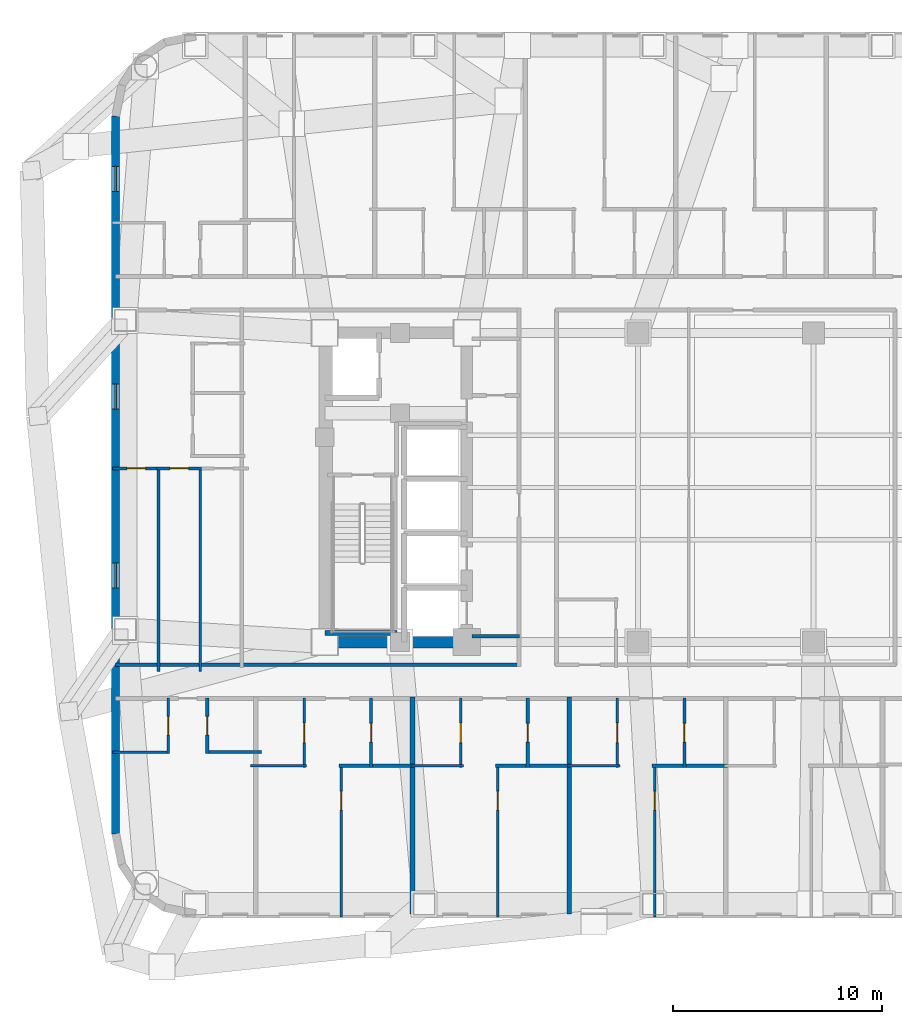
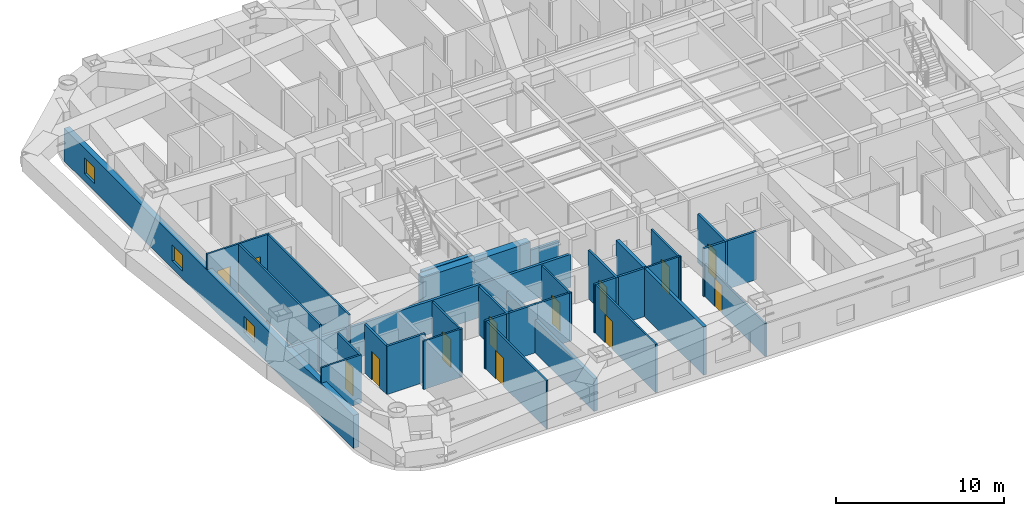
# One storey, part 4 of 14: 30 walls, 13 doors, 3 windows, 16 openings.
"""IFC4 building model written with IfcOpenShell, lengths in metres."""

from ifc_helpers import new_model, si_unit, direction, frame, frame_2d, origin, place, context, subcontext, project, spatial, rectangle, extrude, material, layer, layer_set, type_object, element, fill, save


model = new_model("IFC4")

# Units and contexts
model_context = context("Model", 3, precision=1e-05, world=origin(), true_north=direction((0.0, 1.0)))
body_context = subcontext(model_context, "Body", "Model", "MODEL_VIEW")
ifc_project = project(units=[si_unit("LENGTHUNIT", "METRE"), si_unit("AREAUNIT", "SQUARE_METRE"), si_unit("VOLUMEUNIT", "CUBIC_METRE"), si_unit("PLANEANGLEUNIT", "RADIAN"), si_unit("MASSUNIT", "GRAM", prefix="KILO")], contexts=[model_context])

# Site, building, storey
site_placement = place(None, origin())
site = spatial("IfcSite", under=ifc_project, at=site_placement, CompositionType="ELEMENT")
building_placement = place(site_placement, origin())
building = spatial("IfcBuilding", under=site, at=building_placement, Name="Voryun Gate Residences", CompositionType="ELEMENT")
storey_placement = place(building_placement, frame((0.0, 0.0, 136.5)))
storey = spatial("IfcBuildingStorey", under=building, at=storey_placement, Name="L33", CompositionType="ELEMENT", Elevation=136.5)

# Walls
ifc_material_1 = material(Name="Concrete C60/75", Category="concrete")
ifc_layer_1 = layer(ifc_material_1, 0.550048828125, Name="CW_CORE_550")
ifc_layer_set_1 = layer_set([ifc_layer_1], Name="Concrete C60/75")
wall_type_1 = type_object("IfcWallType", Name="CW_CORE_550", PredefinedType="SHEAR", material=ifc_layer_set_1)
wall_1_placement = place(storey_placement, frame((-19.47509765625, -7.39990234375, 0.0), z_axis=(0.0, 0.0, 1.0), x_axis=(1.0, 0.0, 0.0)))
element("IfcWall", 1, at=wall_1_placement, inside=storey, type_object=wall_type_1, Name="L33 Core shear wall CW-L33-WS", PredefinedType="SHEAR", context=body_context, shape_type="SweptSolid", body=[
    extrude(rectangle(XDim=7.35009765625, YDim=0.550048828125, at=frame_2d((3.675048828125, 0.0))), origin(), (0.0, 0.0, 1.0), 3.5),
])
ifc_material_2 = material(Name="Gypsum acoustic fireboard")
ifc_layer_2 = layer(ifc_material_2, 0.179931640625, Name="W_CORR_RATED_180")
ifc_layer_set_2 = layer_set([ifc_layer_2], Name="Gypsum acoustic fireboard")
wall_type_2 = type_object("IfcWallType", Name="W_CORR_RATED_180", PredefinedType="PARTITIONING", material=ifc_layer_set_2)
wall_2_placement = place(storey_placement, frame((-12.14990234375, -7.1201171875, 0.0), z_axis=(0.0, 0.0, 1.0), x_axis=(1.0, 0.0, 0.0)))
element("IfcWall", 2, at=wall_2_placement, inside=storey, type_object=wall_type_2, Name="Partition wall WP-L33-PLBS-W", PredefinedType="PARTITIONING", context=body_context, shape_type="SweptSolid", body=[
    extrude(rectangle(XDim=2.27001953125, YDim=0.179931640625, at=frame_2d((1.135009765625, 0.0))), origin(), (0.0, 0.0, 1.0), 2.5400390625),
])
wall_3_placement = place(storey_placement, frame((-29.2099609375, -8.489990234375, 0.0), z_axis=(0.0, 0.0, 1.0), x_axis=(1.0, 0.0, 0.0)))
element("IfcWall", 3, at=wall_3_placement, inside=storey, type_object=wall_type_2, Name="Partition wall WP-L33-CWING-WS", PredefinedType="PARTITIONING", context=body_context, shape_type="SweptSolid", body=[
    extrude(rectangle(XDim=19.330078125, YDim=0.179931640625, at=frame_2d((9.6650390625, 0.0))), origin(), (0.0, 0.0, 1.0), 2.389892578125),
])

# Wall, openings, windows
ifc_material_3 = material(Name="Granite masonry", Category="masonry")
ifc_layer_3 = layer(ifc_material_3, 0.3798828125, Name="W_EXT_GRANITE_380")
ifc_layer_set_3 = layer_set([ifc_layer_3], Name="Granite masonry")
wall_type_3 = type_object("IfcWallType", Name="W_EXT_GRANITE_380", PredefinedType="ELEMENTEDWALL", material=ifc_layer_set_3)
wall_4_placement = place(storey_placement, frame((-29.2099609375, -16.581298828125, 0.0), z_axis=(0.0, 0.0, 1.0), x_axis=(0.0, 1.0, 0.0)))
wall_4 = element("IfcWall", 4, at=wall_4_placement, inside=storey, type_object=wall_type_3, Name="Exterior wall WEXT-L33-06", PredefinedType="ELEMENTEDWALL", context=body_context, shape_type="SweptSolid", body=[
    extrude(rectangle(XDim=34.362548828125, YDim=0.3798828125, at=frame_2d((17.18115234375, 0.0))), origin(), (0.0, 0.0, 1.0), 2.389892578125),
])
opening_1_placement = place(wall_4_placement, frame((30.7568359375, 0.0, 0.550048828125)))
opening_1 = element("IfcOpeningElement", 5, at=opening_1_placement, cuts=wall_4, Name="Opening WN6", PredefinedType="OPENING", context=body_context, shape_type="SweptSolid", body=[
    extrude(rectangle(XDim=1.199951171875, YDim=1.14990234375, at=frame_2d((0.60009765625, 0.574951171875))), frame((0.0, 0.199951171875, 0.0), z_axis=(0.0, -1.0, 0.0), x_axis=(1.0, 0.0, 0.0)), (0.0, 0.0, 1.0), 0.39990234375),
])
opening_2_placement = place(wall_4_placement, frame((20.326416015625, 0.0, 0.550048828125)))
opening_2 = element("IfcOpeningElement", 6, at=opening_2_placement, cuts=wall_4, Name="Opening WN6", PredefinedType="OPENING", context=body_context, shape_type="SweptSolid", body=[
    extrude(rectangle(XDim=1.199951171875, YDim=1.14990234375, at=frame_2d((0.60009765625, 0.574951171875))), frame((0.0, 0.199951171875, 0.0), z_axis=(0.0, -1.0, 0.0), x_axis=(1.0, 0.0, 0.0)), (0.0, 0.0, 1.0), 0.39990234375),
])
opening_3_placement = place(wall_4_placement, frame((11.7763671875, 0.0, 0.550048828125)))
opening_3 = element("IfcOpeningElement", 7, at=opening_3_placement, cuts=wall_4, Name="Opening WN6", PredefinedType="OPENING", context=body_context, shape_type="SweptSolid", body=[
    extrude(rectangle(XDim=1.199951171875, YDim=1.14990234375, at=frame_2d((0.60009765625, 0.574951171875))), frame((0.0, 0.199951171875, 0.0), z_axis=(0.0, -1.0, 0.0), x_axis=(1.0, 0.0, 0.0)), (0.0, 0.0, 1.0), 0.39990234375),
])
ifc_material_4 = material(Name="Laminated low-E glass", Category="glass")
window_type = type_object("IfcWindowType", Name="WN_POD_SLOT_1200", PartitioningType="SINGLE_PANEL", PredefinedType="WINDOW", material=ifc_material_4)
window_1_placement = place(opening_1_placement, origin())
window_1 = element("IfcWindow", 8, at=window_1_placement, inside=storey, type_object=window_type, Name="Window WN-L33-DWFIX-01", OverallHeight=1.14990234375, OverallWidth=1.199951171875, PartitioningType="SINGLE_PANEL", PredefinedType="WINDOW", context=body_context, shape_type="SweptSolid", body=[
    extrude(rectangle(XDim=1.199951171875, YDim=1.14990234375, at=frame_2d((0.60009765625, 0.574951171875))), frame((0.0, 0.030029296875, 0.0), z_axis=(0.0, -1.0, 0.0), x_axis=(1.0, 0.0, 0.0)), (0.0, 0.0, 1.0), 0.06005859375),
])
fill(opening_1, window_1)
window_2_placement = place(opening_2_placement, origin())
window_2 = element("IfcWindow", 9, at=window_2_placement, inside=storey, type_object=window_type, Name="Window WN-L33-DWFIX-26", OverallHeight=1.14990234375, OverallWidth=1.199951171875, PartitioningType="SINGLE_PANEL", PredefinedType="WINDOW", context=body_context, shape_type="SweptSolid", body=[
    extrude(rectangle(XDim=1.199951171875, YDim=1.14990234375, at=frame_2d((0.60009765625, 0.574951171875))), frame((0.0, 0.030029296875, 0.0), z_axis=(0.0, -1.0, 0.0), x_axis=(1.0, 0.0, 0.0)), (0.0, 0.0, 1.0), 0.06005859375),
])
fill(opening_2, window_2)
window_3_placement = place(opening_3_placement, origin())
window_3 = element("IfcWindow", 10, at=window_3_placement, inside=storey, type_object=window_type, Name="Window WN-L33-DWFIX-27", OverallHeight=1.14990234375, OverallWidth=1.199951171875, PartitioningType="SINGLE_PANEL", PredefinedType="WINDOW", context=body_context, shape_type="SweptSolid", body=[
    extrude(rectangle(XDim=1.199951171875, YDim=1.14990234375, at=frame_2d((0.60009765625, 0.574951171875))), frame((0.0, 0.030029296875, 0.0), z_axis=(0.0, -1.0, 0.0), x_axis=(1.0, 0.0, 0.0)), (0.0, 0.0, 1.0), 0.06005859375),
])
fill(opening_3, window_3)

# Walls
ifc_material_5 = material(Name="Concrete C40/50", Category="concrete")
ifc_layer_4 = layer(ifc_material_5, 0.219970703125, Name="W_PARTY_ACOUSTIC_220")
ifc_layer_set_4 = layer_set([ifc_layer_4], Name="Concrete C40/50")
wall_type_4 = type_object("IfcWallType", Name="W_PARTY_ACOUSTIC_220", PredefinedType="PARTITIONING", material=ifc_layer_set_4)
wall_5_placement = place(storey_placement, frame((-15.0, -20.409912109375, 0.0), z_axis=(0.0, 0.0, 1.0), x_axis=(0.0, 1.0, 0.0)))
element("IfcWall", 11, at=wall_5_placement, inside=storey, type_object=wall_type_4, Name="Partition wall WP-L33-SPTY-2", PredefinedType="PARTITIONING", context=body_context, shape_type="SweptSolid", body=[
    extrude(rectangle(XDim=10.389892578125, YDim=0.219970703125, at=frame_2d((5.19482421875, 0.0))), origin(), (0.0, 0.0, 1.0), 2.389892578125),
])
wall_6_placement = place(storey_placement, frame((-7.5, -20.409912109375, 0.0), z_axis=(0.0, 0.0, 1.0), x_axis=(0.0, 1.0, 0.0)))
element("IfcWall", 12, at=wall_6_placement, inside=storey, type_object=wall_type_4, Name="Partition wall WP-L33-SPTY-3", PredefinedType="PARTITIONING", context=body_context, shape_type="SweptSolid", body=[
    extrude(rectangle(XDim=10.389892578125, YDim=0.219970703125, at=frame_2d((5.19482421875, 0.0))), origin(), (0.0, 0.0, 1.0), 3.5),
])
ifc_material_6 = material(Name="Concrete C50/60", Category="concrete")
ifc_layer_5 = layer(ifc_material_6, 0.25, Name="W_SHAFT_RC250")
ifc_layer_set_5 = layer_set([ifc_layer_5], Name="Concrete C50/60")
wall_type_5 = type_object("IfcWallType", Name="W_SHAFT_RC250", PredefinedType="SOLIDWALL", material=ifc_layer_set_5)
wall_7_placement = place(storey_placement, frame((-19.199951171875, -6.965087890625, 0.0), z_axis=(0.0, 0.0, 1.0), x_axis=(1.0, 0.0, 0.0)))
element("IfcWall", 13, at=wall_7_placement, inside=storey, type_object=wall_type_5, Name="L33 Stair shaft structural wall W-STS", PredefinedType="SOLIDWALL", context=body_context, shape_type="SweptSolid", body=[
    extrude(rectangle(XDim=3.4599609375, YDim=0.25, at=frame_2d((1.72998046875, 0.0))), origin(), (0.0, 0.0, 1.0), 3.5),
])

# Wall, opening, door
ifc_material_7 = material(Name="Gypsum acoustic partition")
ifc_layer_6 = layer(ifc_material_7, 0.125, Name="W_UNIT_PART_125")
ifc_layer_set_6 = layer_set([ifc_layer_6], Name="Gypsum acoustic partition")
wall_type_6 = type_object("IfcWallType", Name="W_UNIT_PART_125", PredefinedType="PARTITIONING", material=ifc_layer_set_6)
wall_8_placement = place(storey_placement, frame((-26.68798828125, -12.72998046875, 0.0), z_axis=(0.0, 0.0, 1.0), x_axis=(0.0, 1.0, 0.0)))
wall_8 = element("IfcWall", 14, at=wall_8_placement, inside=storey, type_object=wall_type_6, Name="Partition wall WP-L33-S1-CVK", PredefinedType="PARTITIONING", context=body_context, shape_type="SweptSolid", body=[
    extrude(rectangle(XDim=2.64990234375, YDim=0.125, at=frame_2d((1.324951171875, 0.0))), origin(), (0.0, 0.0, 1.0), 3.5),
])
opening_4_placement = place(wall_8_placement, frame((0.875, 0.0, 0.0)))
opening_4 = element("IfcOpeningElement", 15, at=opening_4_placement, cuts=wall_8, Name="Opening D-INT-2", PredefinedType="OPENING", context=body_context, shape_type="SweptSolid", body=[
    extrude(rectangle(XDim=0.89990234375, YDim=2.050048828125, at=frame_2d((0.449951171875, 1.02490234375))), frame((0.0, 0.072509765625, 0.0), z_axis=(0.0, -1.0, 0.0), x_axis=(1.0, 0.0, 0.0)), (0.0, 0.0, 1.0), 0.14501953125),
])
ifc_material_8 = material(Name="Architectural oak veneer")
door_type_1 = type_object("IfcDoorType", Name="DR_INT_BATH_900", OperationType="NOTDEFINED", PredefinedType="DOOR", material=ifc_material_8)
door_1_placement = place(opening_4_placement, origin())
door_1 = element("IfcDoor", 16, at=door_1_placement, inside=storey, type_object=door_type_1, Name="Door DR-L33-S1-DK", OperationType="SINGLE_SWING_LEFT", OverallHeight=2.050048828125, OverallWidth=0.89990234375, PredefinedType="DOOR", context=body_context, shape_type="SweptSolid", body=[
    extrude(rectangle(XDim=0.89990234375, YDim=2.050048828125, at=frame_2d((0.449951171875, 1.02490234375))), frame((0.0, 0.02490234375, 0.0), z_axis=(0.0, -1.0, 0.0), x_axis=(1.0, 0.0, 0.0)), (0.0, 0.0, 1.0), 0.050048828125),
])
fill(opening_4, door_1)

# Wall
wall_9_placement = place(storey_placement, frame((-29.360107421875, -12.669921875, 0.0), z_axis=(0.0, 0.0, 1.0), x_axis=(1.0, 0.0, 0.0)))
element("IfcWall", 17, at=wall_9_placement, inside=storey, type_object=wall_type_6, Name="Partition wall WP-L33-S1-CHK", PredefinedType="PARTITIONING", context=body_context, shape_type="SweptSolid", body=[
    extrude(rectangle(XDim=2.732177734375, YDim=0.125, at=frame_2d((1.3662109375, 0.0))), origin(), (0.0, 0.0, 1.0), 3.5),
])

# Wall, opening, door
wall_10_placement = place(storey_placement, frame((-18.409912109375, -20.56005859375, 0.0), z_axis=(0.0, 0.0, 1.0), x_axis=(0.0, 1.0, 0.0)))
wall_10 = element("IfcWall", 18, at=wall_10_placement, inside=storey, type_object=wall_type_6, Name="Partition wall WP-L33-S2-OVR", PredefinedType="PARTITIONING", context=body_context, shape_type="SweptSolid", body=[
    extrude(rectangle(XDim=7.320068359375, YDim=0.125, at=frame_2d((3.66015625, 0.0))), origin(), (0.0, 0.0, 1.0), 3.5),
])
opening_5_placement = place(wall_10_placement, frame((5.11328125, 0.0, 0.0)))
opening_5 = element("IfcOpeningElement", 19, at=opening_5_placement, cuts=wall_10, Name="Opening D-INT-2", PredefinedType="OPENING", context=body_context, shape_type="SweptSolid", body=[
    extrude(rectangle(XDim=0.89990234375, YDim=2.050048828125, at=frame_2d((0.449951171875, 1.02490234375))), frame((0.0, 0.072509765625, 0.0), z_axis=(0.0, -1.0, 0.0), x_axis=(1.0, 0.0, 0.0)), (0.0, 0.0, 1.0), 0.14501953125),
])
door_2_placement = place(opening_5_placement, origin())
door_2 = element("IfcDoor", 20, at=door_2_placement, inside=storey, type_object=door_type_1, Name="Door DR-L33-S2-DMB", OperationType="SINGLE_SWING_RIGHT", OverallHeight=2.050048828125, OverallWidth=0.89990234375, PredefinedType="DOOR", context=body_context, shape_type="SweptSolid", body=[
    extrude(rectangle(XDim=0.89990234375, YDim=2.050048828125, at=frame_2d((0.449951171875, 1.02490234375))), frame((0.0, 0.02490234375, 0.0), z_axis=(0.0, -1.0, 0.0), x_axis=(1.0, 0.0, 0.0)), (0.0, 0.0, 1.0), 0.050048828125),
])
fill(opening_5, door_2)

wall_11_placement = place(storey_placement, frame((-20.18994140625, -13.39990234375, 0.0), z_axis=(0.0, 0.0, 1.0), x_axis=(0.0, 1.0, 0.0)))
wall_11 = element("IfcWall", 21, at=wall_11_placement, inside=storey, type_object=wall_type_6, Name="Partition wall WP-L33-S2-IVK", PredefinedType="PARTITIONING", context=body_context, shape_type="SweptSolid", body=[
    extrude(rectangle(XDim=3.31982421875, YDim=0.125, at=frame_2d((1.659912109375, 0.0))), origin(), (0.0, 0.0, 1.0), 3.5),
])
opening_6_placement = place(wall_11_placement, frame((1.18505859375, 0.0, 0.0)))
opening_6 = element("IfcOpeningElement", 22, at=opening_6_placement, cuts=wall_11, Name="Opening D-INT-1", PredefinedType="OPENING", context=body_context, shape_type="SweptSolid", body=[
    extrude(rectangle(XDim=0.949951171875, YDim=2.050048828125, at=frame_2d((0.47509765625, 1.02490234375))), frame((0.0, 0.072509765625, 0.0), z_axis=(0.0, -1.0, 0.0), x_axis=(1.0, 0.0, 0.0)), (0.0, 0.0, 1.0), 0.14501953125),
])
ifc_material_9 = material(Name="Architectural oak veneer")
door_type_2 = type_object("IfcDoorType", Name="DR_INT_ROOM_950", OperationType="NOTDEFINED", PredefinedType="DOOR", material=ifc_material_9)
door_3_placement = place(opening_6_placement, origin())
door_3 = element("IfcDoor", 23, at=door_3_placement, inside=storey, type_object=door_type_2, Name="Door DR-L33-S2-DK", OperationType="SINGLE_SWING_LEFT", OverallHeight=2.050048828125, OverallWidth=0.949951171875, PredefinedType="DOOR", context=body_context, shape_type="SweptSolid", body=[
    extrude(rectangle(XDim=0.949951171875, YDim=2.050048828125, at=frame_2d((0.47509765625, 1.02490234375))), frame((0.0, 0.02490234375, 0.0), z_axis=(0.0, -1.0, 0.0), x_axis=(1.0, 0.0, 0.0)), (0.0, 0.0, 1.0), 0.050048828125),
])
fill(opening_6, door_3)

# Wall
wall_12_placement = place(storey_placement, frame((-22.760009765625, -13.320068359375, 0.0), z_axis=(0.0, 0.0, 1.0), x_axis=(1.0, 0.0, 0.0)))
element("IfcWall", 24, at=wall_12_placement, inside=storey, type_object=wall_type_6, Name="Partition wall WP-L33-S2-HZK", PredefinedType="PARTITIONING", context=body_context, shape_type="SweptSolid", body=[
    extrude(rectangle(XDim=2.68994140625, YDim=0.125, at=frame_2d((1.344970703125, 0.0))), origin(), (0.0, 0.0, 1.0), 3.5),
])

# Wall, opening, door
wall_13_placement = place(storey_placement, frame((-10.909912109375, -20.56005859375, 0.0), z_axis=(0.0, 0.0, 1.0), x_axis=(0.0, 1.0, 0.0)))
wall_13 = element("IfcWall", 25, at=wall_13_placement, inside=storey, type_object=wall_type_6, Name="Partition wall WP-L33-S3-OVR", PredefinedType="PARTITIONING", context=body_context, shape_type="SweptSolid", body=[
    extrude(rectangle(XDim=7.320068359375, YDim=0.125, at=frame_2d((3.66015625, 0.0))), origin(), (0.0, 0.0, 1.0), 3.5),
])
opening_7_placement = place(wall_13_placement, frame((5.11328125, 0.0, 0.0)))
opening_7 = element("IfcOpeningElement", 26, at=opening_7_placement, cuts=wall_13, Name="Opening D-INT-2", PredefinedType="OPENING", context=body_context, shape_type="SweptSolid", body=[
    extrude(rectangle(XDim=0.89990234375, YDim=2.050048828125, at=frame_2d((0.449951171875, 1.02490234375))), frame((0.0, 0.072509765625, 0.0), z_axis=(0.0, -1.0, 0.0), x_axis=(1.0, 0.0, 0.0)), (0.0, 0.0, 1.0), 0.14501953125),
])
door_4_placement = place(opening_7_placement, origin())
door_4 = element("IfcDoor", 27, at=door_4_placement, inside=storey, type_object=door_type_1, Name="Door DR-L33-S3-DMB", OperationType="SINGLE_SWING_RIGHT", OverallHeight=2.050048828125, OverallWidth=0.89990234375, PredefinedType="DOOR", context=body_context, shape_type="SweptSolid", body=[
    extrude(rectangle(XDim=0.89990234375, YDim=2.050048828125, at=frame_2d((0.449951171875, 1.02490234375))), frame((0.0, 0.02490234375, 0.0), z_axis=(0.0, -1.0, 0.0), x_axis=(1.0, 0.0, 0.0)), (0.0, 0.0, 1.0), 0.050048828125),
])
fill(opening_7, door_4)

wall_14_placement = place(storey_placement, frame((-12.68994140625, -13.39990234375, 0.0), z_axis=(0.0, 0.0, 1.0), x_axis=(0.0, 1.0, 0.0)))
wall_14 = element("IfcWall", 28, at=wall_14_placement, inside=storey, type_object=wall_type_6, Name="Partition wall WP-L33-S3-IVK", PredefinedType="PARTITIONING", context=body_context, shape_type="SweptSolid", body=[
    extrude(rectangle(XDim=3.31982421875, YDim=0.125, at=frame_2d((1.659912109375, 0.0))), origin(), (0.0, 0.0, 1.0), 3.5),
])
opening_8_placement = place(wall_14_placement, frame((1.18505859375, 0.0, 0.0)))
opening_8 = element("IfcOpeningElement", 29, at=opening_8_placement, cuts=wall_14, Name="Opening D-INT-1", PredefinedType="OPENING", context=body_context, shape_type="SweptSolid", body=[
    extrude(rectangle(XDim=0.949951171875, YDim=2.050048828125, at=frame_2d((0.47509765625, 1.02490234375))), frame((0.0, 0.072509765625, 0.0), z_axis=(0.0, -1.0, 0.0), x_axis=(1.0, 0.0, 0.0)), (0.0, 0.0, 1.0), 0.14501953125),
])
door_5_placement = place(opening_8_placement, origin())
door_5 = element("IfcDoor", 30, at=door_5_placement, inside=storey, type_object=door_type_2, Name="Door DR-L33-S3-DK", OperationType="SINGLE_SWING_LEFT", OverallHeight=2.050048828125, OverallWidth=0.949951171875, PredefinedType="DOOR", context=body_context, shape_type="SweptSolid", body=[
    extrude(rectangle(XDim=0.949951171875, YDim=2.050048828125, at=frame_2d((0.47509765625, 1.02490234375))), frame((0.0, 0.02490234375, 0.0), z_axis=(0.0, -1.0, 0.0), x_axis=(1.0, 0.0, 0.0)), (0.0, 0.0, 1.0), 0.050048828125),
])
fill(opening_8, door_5)

# Wall
wall_15_placement = place(storey_placement, frame((-15.074951171875, -13.320068359375, 0.0), z_axis=(0.0, 0.0, 1.0), x_axis=(1.0, 0.0, 0.0)))
element("IfcWall", 31, at=wall_15_placement, inside=storey, type_object=wall_type_6, Name="Partition wall WP-L33-S3-HZK", PredefinedType="PARTITIONING", context=body_context, shape_type="SweptSolid", body=[
    extrude(rectangle(XDim=2.5048828125, YDim=0.125, at=frame_2d((1.25244140625, 0.0))), origin(), (0.0, 0.0, 1.0), 3.5),
])

# Wall, opening, door
wall_16_placement = place(storey_placement, frame((-3.409912109375, -20.56005859375, 0.0), z_axis=(0.0, 0.0, 1.0), x_axis=(0.0, 1.0, 0.0)))
wall_16 = element("IfcWall", 32, at=wall_16_placement, inside=storey, type_object=wall_type_6, Name="Partition wall WP-L33-S4-OVR", PredefinedType="PARTITIONING", context=body_context, shape_type="SweptSolid", body=[
    extrude(rectangle(XDim=7.320068359375, YDim=0.125, at=frame_2d((3.66015625, 0.0))), origin(), (0.0, 0.0, 1.0), 2.389892578125),
])
opening_9_placement = place(wall_16_placement, frame((5.11328125, 0.0, 0.0)))
opening_9 = element("IfcOpeningElement", 33, at=opening_9_placement, cuts=wall_16, Name="Opening D-INT-2", PredefinedType="OPENING", context=body_context, shape_type="SweptSolid", body=[
    extrude(rectangle(XDim=0.89990234375, YDim=2.050048828125, at=frame_2d((0.449951171875, 1.02490234375))), frame((0.0, 0.072509765625, 0.0), z_axis=(0.0, -1.0, 0.0), x_axis=(1.0, 0.0, 0.0)), (0.0, 0.0, 1.0), 0.14501953125),
])
door_6_placement = place(opening_9_placement, origin())
door_6 = element("IfcDoor", 34, at=door_6_placement, inside=storey, type_object=door_type_1, Name="Door DR-L33-S4-DMB", OperationType="SINGLE_SWING_RIGHT", OverallHeight=2.050048828125, OverallWidth=0.89990234375, PredefinedType="DOOR", context=body_context, shape_type="SweptSolid", body=[
    extrude(rectangle(XDim=0.89990234375, YDim=2.050048828125, at=frame_2d((0.449951171875, 1.02490234375))), frame((0.0, 0.02490234375, 0.0), z_axis=(0.0, -1.0, 0.0), x_axis=(1.0, 0.0, 0.0)), (0.0, 0.0, 1.0), 0.050048828125),
])
fill(opening_9, door_6)

wall_17_placement = place(storey_placement, frame((-5.18994140625, -13.39990234375, 0.0), z_axis=(0.0, 0.0, 1.0), x_axis=(0.0, 1.0, 0.0)))
wall_17 = element("IfcWall", 35, at=wall_17_placement, inside=storey, type_object=wall_type_6, Name="Partition wall WP-L33-S4-IVK", PredefinedType="PARTITIONING", context=body_context, shape_type="SweptSolid", body=[
    extrude(rectangle(XDim=3.31982421875, YDim=0.125, at=frame_2d((1.659912109375, 0.0))), origin(), (0.0, 0.0, 1.0), 3.5),
])
opening_10_placement = place(wall_17_placement, frame((1.18505859375, 0.0, 0.0)))
opening_10 = element("IfcOpeningElement", 36, at=opening_10_placement, cuts=wall_17, Name="Opening D-INT-1", PredefinedType="OPENING", context=body_context, shape_type="SweptSolid", body=[
    extrude(rectangle(XDim=0.949951171875, YDim=2.050048828125, at=frame_2d((0.47509765625, 1.02490234375))), frame((0.0, 0.072509765625, 0.0), z_axis=(0.0, -1.0, 0.0), x_axis=(1.0, 0.0, 0.0)), (0.0, 0.0, 1.0), 0.14501953125),
])
door_7_placement = place(opening_10_placement, origin())
door_7 = element("IfcDoor", 37, at=door_7_placement, inside=storey, type_object=door_type_2, Name="Door DR-L33-S4-DK", OperationType="SINGLE_SWING_LEFT", OverallHeight=2.050048828125, OverallWidth=0.949951171875, PredefinedType="DOOR", context=body_context, shape_type="SweptSolid", body=[
    extrude(rectangle(XDim=0.949951171875, YDim=2.050048828125, at=frame_2d((0.47509765625, 1.02490234375))), frame((0.0, 0.02490234375, 0.0), z_axis=(0.0, -1.0, 0.0), x_axis=(1.0, 0.0, 0.0)), (0.0, 0.0, 1.0), 0.050048828125),
])
fill(opening_10, door_7)

# Wall
wall_18_placement = place(storey_placement, frame((-7.574951171875, -13.320068359375, 0.0), z_axis=(0.0, 0.0, 1.0), x_axis=(1.0, 0.0, 0.0)))
element("IfcWall", 38, at=wall_18_placement, inside=storey, type_object=wall_type_6, Name="Partition wall WP-L33-S4-HZK", PredefinedType="PARTITIONING", context=body_context, shape_type="SweptSolid", body=[
    extrude(rectangle(XDim=2.5048828125, YDim=0.125, at=frame_2d((1.25244140625, 0.0))), origin(), (0.0, 0.0, 1.0), 3.5),
])

# Wall, opening, door
wall_19_placement = place(storey_placement, frame((-29.360107421875, 0.909912109375, 0.0), z_axis=(0.0, 0.0, 1.0), x_axis=(1.0, 0.0, 0.0)))
wall_19 = element("IfcWall", 39, at=wall_19_placement, inside=storey, type_object=wall_type_6, Name="Partition wall WP-L33-W1-HZMB1", PredefinedType="PARTITIONING", context=body_context, shape_type="SweptSolid", body=[
    extrude(rectangle(XDim=2.26171875, YDim=0.125, at=frame_2d((1.130859375, 0.0))), origin(), (0.0, 0.0, 1.0), 3.5),
])
opening_11_placement = place(wall_19_placement, frame((0.689453125, 0.0, 0.0)))
opening_11 = element("IfcOpeningElement", 40, at=opening_11_placement, cuts=wall_19, Name="Opening D-INT-2", PredefinedType="OPENING", context=body_context, shape_type="SweptSolid", body=[
    extrude(rectangle(XDim=0.89990234375, YDim=2.050048828125, at=frame_2d((0.449951171875, 1.02490234375))), frame((0.0, 0.072509765625, 0.0), z_axis=(0.0, -1.0, 0.0), x_axis=(1.0, 0.0, 0.0)), (0.0, 0.0, 1.0), 0.14501953125),
])
door_8_placement = place(opening_11_placement, origin())
door_8 = element("IfcDoor", 41, at=door_8_placement, inside=storey, type_object=door_type_1, Name="Door DR-L33-W1-DMB", OperationType="SINGLE_SWING_LEFT", OverallHeight=2.050048828125, OverallWidth=0.89990234375, PredefinedType="DOOR", context=body_context, shape_type="SweptSolid", body=[
    extrude(rectangle(XDim=0.89990234375, YDim=2.050048828125, at=frame_2d((0.449951171875, 1.02490234375))), frame((0.0, 0.02490234375, 0.0), z_axis=(0.0, -1.0, 0.0), x_axis=(1.0, 0.0, 0.0)), (0.0, 0.0, 1.0), 0.050048828125),
])
fill(opening_11, door_8)

wall_20_placement = place(storey_placement, frame((-27.223388671875, 0.909912109375, 0.0), z_axis=(0.0, 0.0, 1.0), x_axis=(1.0, 0.0, 0.0)))
wall_20 = element("IfcWall", 42, at=wall_20_placement, inside=storey, type_object=wall_type_6, Name="Partition wall WP-L33-W1-HZMB2", PredefinedType="PARTITIONING", context=body_context, shape_type="SweptSolid", body=[
    extrude(rectangle(XDim=2.119873046875, YDim=0.125, at=frame_2d((1.06005859375, 0.0))), origin(), (0.0, 0.0, 1.0), 3.5),
])
opening_12_placement = place(wall_20_placement, frame((0.610107421875, 0.0, 0.0)))
opening_12 = element("IfcOpeningElement", 43, at=opening_12_placement, cuts=wall_20, Name="Opening D-INT-2", PredefinedType="OPENING", context=body_context, shape_type="SweptSolid", body=[
    extrude(rectangle(XDim=0.89990234375, YDim=2.050048828125, at=frame_2d((0.449951171875, 1.02490234375))), frame((0.0, 0.072509765625, 0.0), z_axis=(0.0, -1.0, 0.0), x_axis=(1.0, 0.0, 0.0)), (0.0, 0.0, 1.0), 0.14501953125),
])
door_9_placement = place(opening_12_placement, origin())
door_9 = element("IfcDoor", 44, at=door_9_placement, inside=storey, type_object=door_type_1, Name="Door DR-L33-W1-DBD2", OperationType="SINGLE_SWING_RIGHT", OverallHeight=2.050048828125, OverallWidth=0.89990234375, PredefinedType="DOOR", context=body_context, shape_type="SweptSolid", body=[
    extrude(rectangle(XDim=0.89990234375, YDim=2.050048828125, at=frame_2d((0.449951171875, 1.02490234375))), frame((0.0, 0.02490234375, 0.0), z_axis=(0.0, -1.0, 0.0), x_axis=(1.0, 0.0, 0.0)), (0.0, 0.0, 1.0), 0.050048828125),
])
fill(opening_12, door_9)

# Walls
for number, where, z_axis, x_axis, name in (
    (45, (-25.166015625, -8.81005859375, 0.0), (0.0, 0.0, 1.0), (0.0, 1.0, 0.0), "Partition wall WP-L33-W1-VMB2"),
    (46, (-27.160888671875, -8.81005859375, 0.0), (0.0, 0.0, 1.0), (0.0, 1.0, 0.0), "Partition wall WP-L33-W1-VMB"),
):
    element("IfcWall", number, at=place(storey_placement, frame(where, z_axis=z_axis, x_axis=x_axis)), inside=storey, type_object=wall_type_6, Name=name, PredefinedType="PARTITIONING", context=body_context, shape_type="SweptSolid", body=[
        extrude(rectangle(XDim=9.780029296875, YDim=0.125, at=frame_2d((4.89013671875, 0.0))), origin(), (0.0, 0.0, 1.0), 3.5),
    ])

# Wall, opening, door
ifc_material_10 = material(Name="Gypsum moisture-resistant partition")
ifc_layer_7 = layer(ifc_material_10, 0.14990234375, Name="W_WET_PLUMB_150")
ifc_layer_set_7 = layer_set([ifc_layer_7], Name="Gypsum moisture-resistant partition")
wall_type_7 = type_object("IfcWallType", Name="W_WET_PLUMB_150", PredefinedType="PLUMBINGWALL", material=ifc_layer_set_7)
wall_21_placement = place(storey_placement, frame((-24.823974609375, -12.72998046875, 0.0), z_axis=(0.0, 0.0, 1.0), x_axis=(0.0, 1.0, 0.0)))
wall_21 = element("IfcWall", 47, at=wall_21_placement, inside=storey, type_object=wall_type_7, Name="Partition wall WP-L33-S1-CVB", PredefinedType="PLUMBINGWALL", context=body_context, shape_type="SweptSolid", body=[
    extrude(rectangle(XDim=2.64990234375, YDim=0.14990234375, at=frame_2d((1.324951171875, 0.0))), origin(), (0.0, 0.0, 1.0), 3.5),
])
opening_13_placement = place(wall_21_placement, frame((0.875, 0.0, 0.0)))
opening_13 = element("IfcOpeningElement", 48, at=opening_13_placement, cuts=wall_21, Name="Opening D-INT-2", PredefinedType="OPENING", context=body_context, shape_type="SweptSolid", body=[
    extrude(rectangle(XDim=0.89990234375, YDim=2.050048828125, at=frame_2d((0.449951171875, 1.02490234375))), frame((0.0, 0.0849609375, 0.0), z_axis=(0.0, -1.0, 0.0), x_axis=(1.0, 0.0, 0.0)), (0.0, 0.0, 1.0), 0.169921875),
])
door_10_placement = place(opening_13_placement, origin())
door_10 = element("IfcDoor", 49, at=door_10_placement, inside=storey, type_object=door_type_1, Name="Door DR-L33-S1-DB", OperationType="SINGLE_SWING_RIGHT", OverallHeight=2.050048828125, OverallWidth=0.89990234375, PredefinedType="DOOR", context=body_context, shape_type="SweptSolid", body=[
    extrude(rectangle(XDim=0.89990234375, YDim=2.050048828125, at=frame_2d((0.449951171875, 1.02490234375))), frame((0.0, 0.02490234375, 0.0), z_axis=(0.0, -1.0, 0.0), x_axis=(1.0, 0.0, 0.0)), (0.0, 0.0, 1.0), 0.050048828125),
])
fill(opening_13, door_10)

# Walls
wall_22_placement = place(storey_placement, frame((-24.884033203125, -12.669921875, 0.0), z_axis=(0.0, 0.0, 1.0), x_axis=(1.0, 0.0, 0.0)))
element("IfcWall", 50, at=wall_22_placement, inside=storey, type_object=wall_type_7, Name="Partition wall WP-L33-S1-CHB", PredefinedType="PLUMBINGWALL", context=body_context, shape_type="SweptSolid", body=[
    extrude(rectangle(XDim=2.64404296875, YDim=0.14990234375, at=frame_2d((1.322021484375, 0.0))), origin(), (0.0, 0.0, 1.0), 3.5),
])
wall_23_placement = place(storey_placement, frame((-18.530029296875, -13.320068359375, 0.0), z_axis=(0.0, 0.0, 1.0), x_axis=(1.0, 0.0, 0.0)))
element("IfcWall", 51, at=wall_23_placement, inside=storey, type_object=wall_type_7, Name="Partition wall WP-L33-S2-HZB", PredefinedType="PLUMBINGWALL", context=body_context, shape_type="SweptSolid", body=[
    extrude(rectangle(XDim=3.60498046875, YDim=0.14990234375, at=frame_2d((1.802490234375, 0.0))), origin(), (0.0, 0.0, 1.0), 3.5),
])

# Wall, opening, door
wall_24_placement = place(storey_placement, frame((-16.97998046875, -13.39990234375, 0.0), z_axis=(0.0, 0.0, 1.0), x_axis=(0.0, 1.0, 0.0)))
wall_24 = element("IfcWall", 52, at=wall_24_placement, inside=storey, type_object=wall_type_7, Name="Partition wall WP-L33-S2-IVB", PredefinedType="PLUMBINGWALL", context=body_context, shape_type="SweptSolid", body=[
    extrude(rectangle(XDim=3.31982421875, YDim=0.14990234375, at=frame_2d((1.659912109375, 0.0))), origin(), (0.0, 0.0, 1.0), 3.5),
])
opening_14_placement = place(wall_24_placement, frame((1.2099609375, 0.0, 0.0)))
opening_14 = element("IfcOpeningElement", 53, at=opening_14_placement, cuts=wall_24, Name="Opening D-INT-2", PredefinedType="OPENING", context=body_context, shape_type="SweptSolid", body=[
    extrude(rectangle(XDim=0.89990234375, YDim=2.050048828125, at=frame_2d((0.449951171875, 1.02490234375))), frame((0.0, 0.0849609375, 0.0), z_axis=(0.0, -1.0, 0.0), x_axis=(1.0, 0.0, 0.0)), (0.0, 0.0, 1.0), 0.169921875),
])
door_11_placement = place(opening_14_placement, origin())
door_11 = element("IfcDoor", 54, at=door_11_placement, inside=storey, type_object=door_type_1, Name="Door DR-L33-S2-DB", OperationType="SINGLE_SWING_RIGHT", OverallHeight=2.050048828125, OverallWidth=0.89990234375, PredefinedType="DOOR", context=body_context, shape_type="SweptSolid", body=[
    extrude(rectangle(XDim=0.89990234375, YDim=2.050048828125, at=frame_2d((0.449951171875, 1.02490234375))), frame((0.0, 0.02490234375, 0.0), z_axis=(0.0, -1.0, 0.0), x_axis=(1.0, 0.0, 0.0)), (0.0, 0.0, 1.0), 0.050048828125),
])
fill(opening_14, door_11)

# Wall
wall_25_placement = place(storey_placement, frame((-11.030029296875, -13.320068359375, 0.0), z_axis=(0.0, 0.0, 1.0), x_axis=(1.0, 0.0, 0.0)))
element("IfcWall", 55, at=wall_25_placement, inside=storey, type_object=wall_type_7, Name="Partition wall WP-L33-S3-HZB", PredefinedType="PLUMBINGWALL", context=body_context, shape_type="SweptSolid", body=[
    extrude(rectangle(XDim=3.60498046875, YDim=0.14990234375, at=frame_2d((1.802490234375, 0.0))), origin(), (0.0, 0.0, 1.0), 3.5),
])

# Wall, opening, door
wall_26_placement = place(storey_placement, frame((-9.47998046875, -13.39990234375, 0.0), z_axis=(0.0, 0.0, 1.0), x_axis=(0.0, 1.0, 0.0)))
wall_26 = element("IfcWall", 56, at=wall_26_placement, inside=storey, type_object=wall_type_7, Name="Partition wall WP-L33-S3-IVB", PredefinedType="PLUMBINGWALL", context=body_context, shape_type="SweptSolid", body=[
    extrude(rectangle(XDim=3.31982421875, YDim=0.14990234375, at=frame_2d((1.659912109375, 0.0))), origin(), (0.0, 0.0, 1.0), 3.5),
])
opening_15_placement = place(wall_26_placement, frame((1.2099609375, 0.0, 0.0)))
opening_15 = element("IfcOpeningElement", 57, at=opening_15_placement, cuts=wall_26, Name="Opening D-INT-2", PredefinedType="OPENING", context=body_context, shape_type="SweptSolid", body=[
    extrude(rectangle(XDim=0.89990234375, YDim=2.050048828125, at=frame_2d((0.449951171875, 1.02490234375))), frame((0.0, 0.0849609375, 0.0), z_axis=(0.0, -1.0, 0.0), x_axis=(1.0, 0.0, 0.0)), (0.0, 0.0, 1.0), 0.169921875),
])
door_12_placement = place(opening_15_placement, origin())
door_12 = element("IfcDoor", 58, at=door_12_placement, inside=storey, type_object=door_type_1, Name="Door DR-L33-S3-DB", OperationType="SINGLE_SWING_RIGHT", OverallHeight=2.050048828125, OverallWidth=0.89990234375, PredefinedType="DOOR", context=body_context, shape_type="SweptSolid", body=[
    extrude(rectangle(XDim=0.89990234375, YDim=2.050048828125, at=frame_2d((0.449951171875, 1.02490234375))), frame((0.0, 0.02490234375, 0.0), z_axis=(0.0, -1.0, 0.0), x_axis=(1.0, 0.0, 0.0)), (0.0, 0.0, 1.0), 0.050048828125),
])
fill(opening_15, door_12)

# Wall
wall_27_placement = place(storey_placement, frame((-3.530029296875, -13.320068359375, 0.0), z_axis=(0.0, 0.0, 1.0), x_axis=(1.0, 0.0, 0.0)))
element("IfcWall", 59, at=wall_27_placement, inside=storey, type_object=wall_type_7, Name="Partition wall WP-L33-S4-HZB", PredefinedType="PLUMBINGWALL", context=body_context, shape_type="SweptSolid", body=[
    extrude(rectangle(XDim=3.60498046875, YDim=0.14990234375, at=frame_2d((1.802490234375, 0.0))), origin(), (0.0, 0.0, 1.0), 3.5),
])

# Wall, opening, door
wall_28_placement = place(storey_placement, frame((-1.97998046875, -13.39990234375, 0.0), z_axis=(0.0, 0.0, 1.0), x_axis=(0.0, 1.0, 0.0)))
wall_28 = element("IfcWall", 60, at=wall_28_placement, inside=storey, type_object=wall_type_7, Name="Partition wall WP-L33-S4-IVB", PredefinedType="PLUMBINGWALL", context=body_context, shape_type="SweptSolid", body=[
    extrude(rectangle(XDim=3.31982421875, YDim=0.14990234375, at=frame_2d((1.659912109375, 0.0))), origin(), (0.0, 0.0, 1.0), 3.5),
])
opening_16_placement = place(wall_28_placement, frame((1.2099609375, 0.0, 0.0)))
opening_16 = element("IfcOpeningElement", 61, at=opening_16_placement, cuts=wall_28, Name="Opening D-INT-2", PredefinedType="OPENING", context=body_context, shape_type="SweptSolid", body=[
    extrude(rectangle(XDim=0.89990234375, YDim=2.050048828125, at=frame_2d((0.449951171875, 1.02490234375))), frame((0.0, 0.0849609375, 0.0), z_axis=(0.0, -1.0, 0.0), x_axis=(1.0, 0.0, 0.0)), (0.0, 0.0, 1.0), 0.169921875),
])
door_13_placement = place(opening_16_placement, origin())
door_13 = element("IfcDoor", 62, at=door_13_placement, inside=storey, type_object=door_type_1, Name="Door DR-L33-S4-DB", OperationType="SINGLE_SWING_RIGHT", OverallHeight=2.050048828125, OverallWidth=0.89990234375, PredefinedType="DOOR", context=body_context, shape_type="SweptSolid", body=[
    extrude(rectangle(XDim=0.89990234375, YDim=2.050048828125, at=frame_2d((0.449951171875, 1.02490234375))), frame((0.0, 0.02490234375, 0.0), z_axis=(0.0, -1.0, 0.0), x_axis=(1.0, 0.0, 0.0)), (0.0, 0.0, 1.0), 0.050048828125),
])
fill(opening_16, door_13)

save(model, "model.ifc")
